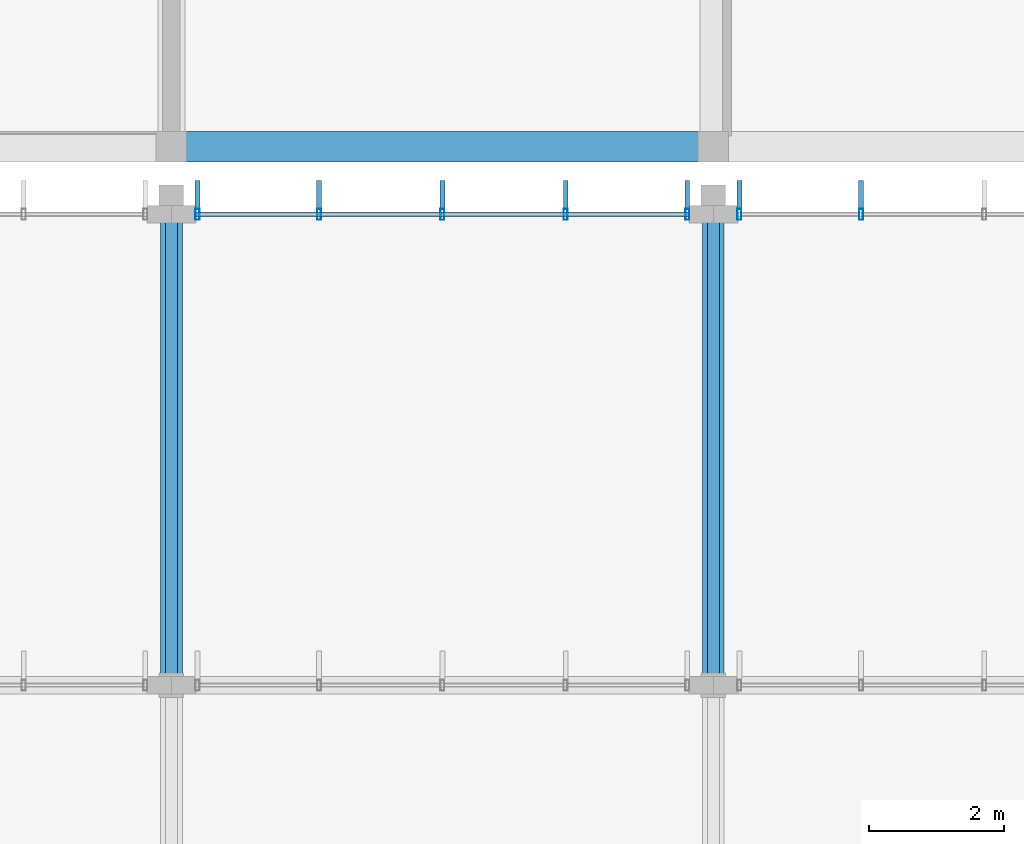
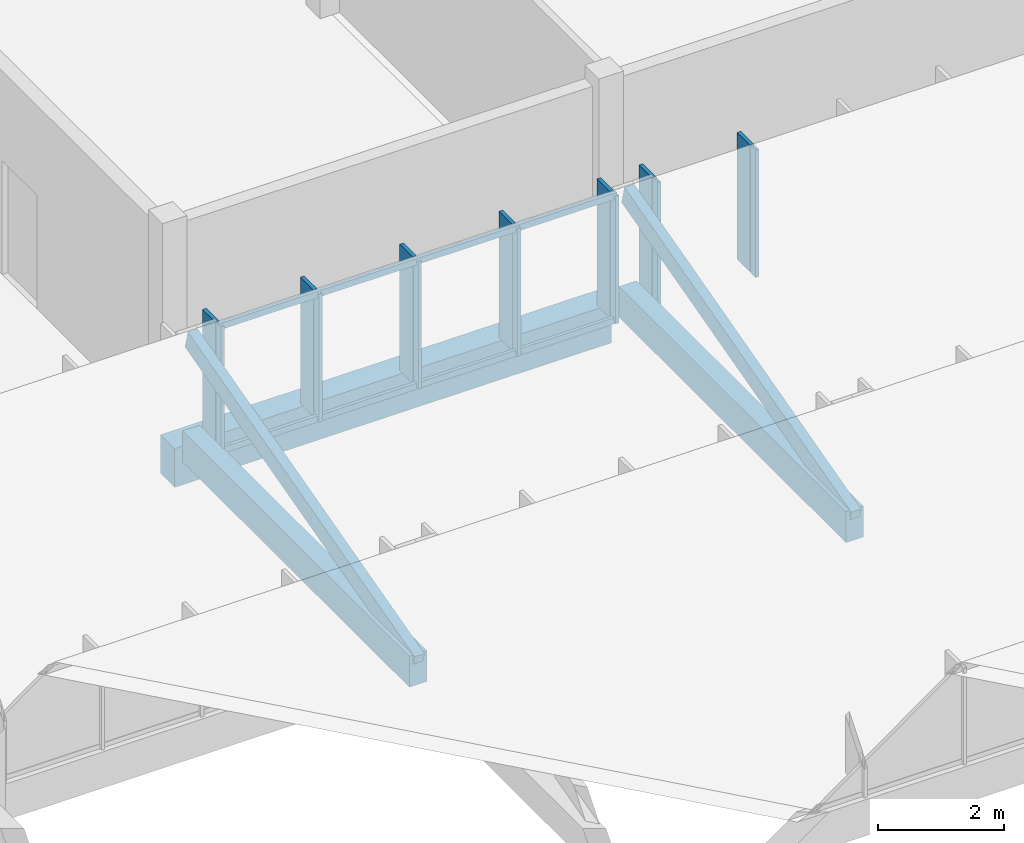
# One storey, part 40 of 94: 20 members, 1 beam, 2 elements without a shape of their own.
"""IFC4 building model written with IfcOpenShell, lengths in metres."""

from ifc_helpers import new_model, si_unit, direction, frame, origin, origin_2d, place, context, subcontext, project, spatial, rectangle, hollow_rectangle, extrude, material, material_profile, profile_set, type_object, element, aggregate, save


model = new_model("IFC4")

# Units and contexts
model_context = context("Model", 3, precision=1e-05, world=origin(), true_north=direction((0.0, 1.0)))
body_context = subcontext(model_context, "Body", "Model", "MODEL_VIEW")
ifc_project = project(units=[si_unit("LENGTHUNIT", "METRE"), si_unit("AREAUNIT", "SQUARE_METRE"), si_unit("VOLUMEUNIT", "CUBIC_METRE"), si_unit("PLANEANGLEUNIT", "RADIAN"), si_unit("MASSUNIT", "GRAM", prefix="KILO")], contexts=[model_context])

# Site, building, storey
site_placement = place(None, origin())
site = spatial("IfcSite", under=ifc_project, at=site_placement, CompositionType="ELEMENT")
building_placement = place(site_placement, origin())
building = spatial("IfcBuilding", under=site, at=building_placement, Name="Chiffa Square Polytechnic", CompositionType="ELEMENT")
storey_placement = place(building_placement, frame((0.0, 0.0, 18.0)))
storey = spatial("IfcBuildingStorey", under=building, at=storey_placement, Name="L04", CompositionType="ELEMENT", Elevation=18.0)

# Beam
ifc_material_1 = material(Name="Concrete C35/45", Category="concrete")
ifc_material_profile_1 = material_profile(ifc_material_1, rectangle(XDim=0.449951171875, YDim=0.75, at=origin_2d()), Name="RC 450x750")
ifc_profile_set_1 = profile_set([ifc_material_profile_1], Name="Concrete C35/45")
beam_type = type_object("IfcBeamType", Name="BM-RC-450X750", PredefinedType="BEAM", material=ifc_profile_set_1)
beam_placement = place(storey_placement, frame((16.0, 94.949951171875, -0.614990234375), z_axis=(1.0, 0.0, 0.0), x_axis=(0.0, 1.0, 0.0)))
element("IfcBeam", 1, at=beam_placement, inside=storey, type_object=beam_type, Name="Primary floor girder BM-V5-L04-X-0160-0950", PredefinedType="BEAM", context=body_context, shape_type="SweptSolid", body=[
    extrude(rectangle(XDim=0.449951171875, YDim=0.75, at=origin_2d()), origin(), (0.0, 0.0, 1.0), 8.0),
])

# Curtain wall, members
ifc_material_2 = material(Name="Aluminium EN AW-6060 T66 and glulam shading", Category="wood")
curtain_wall_type_1 = type_object("IfcCurtainWallType", Name="CW-VERT-300X380", PredefinedType="USERDEFINED", material=ifc_material_2)
curtain_wall_1_placement = place(storey_placement, origin())
curtain_wall_1 = element("IfcCurtainWall", 2, at=curtain_wall_1_placement, inside=storey, type_object=curtain_wall_type_1, Name="Curtain wall CW-V6-SAW8-3", ObjectType="CURTAIN WALL", PredefinedType="USERDEFINED")
ifc_material_3 = material(Name="Aluminium EN AW-6060 T66", Category="aluminium")
ifc_material_profile_2 = material_profile(ifc_material_3, hollow_rectangle(XDim=0.06005859375, YDim=0.159912109375, WallThickness=0.00390625, at=origin_2d()), Name="ALU 60x160x4")
ifc_profile_set_2 = profile_set([ifc_material_profile_2], Name="Aluminium EN AW-6060 T66")
member_type_1 = type_object("IfcMemberType", Name="CWM-ALU-65X150", PredefinedType="MULLION", material=ifc_profile_set_2)
member_1_placement = place(storey_placement, frame((23.614990234375, 93.949951171875, 0.0400390625), z_axis=(0.0, 0.0, 1.0), x_axis=(1.0, 0.0, 0.0)))
member_1 = element("IfcMember", 3, at=member_1_placement, type_object=member_type_1, Name="Curtain wall mullion CW-V6-SAW8-3-M00", PredefinedType="MULLION", context=body_context, shape_type="SweptSolid", body=[
    extrude(hollow_rectangle(XDim=0.06005859375, YDim=0.159912109375, WallThickness=0.00390625, at=origin_2d()), origin(), (0.0, 0.0, 1.0), 2.471923828125),
])
member_2_placement = place(storey_placement, frame((21.820068359375, 93.949951171875, 0.0400390625), z_axis=(0.0, 0.0, 1.0), x_axis=(1.0, 0.0, 0.0)))
member_2 = element("IfcMember", 4, at=member_2_placement, type_object=member_type_1, Name="Curtain wall mullion CW-V6-SAW8-3-M01", PredefinedType="MULLION", context=body_context, shape_type="SweptSolid", body=[
    extrude(hollow_rectangle(XDim=0.06005859375, YDim=0.159912109375, WallThickness=0.00390625, at=origin_2d()), origin(), (0.0, 0.0, 1.0), 2.471923828125),
])
member_3_placement = place(storey_placement, frame((20.0, 93.949951171875, 0.0400390625), z_axis=(0.0, 0.0, 1.0), x_axis=(1.0, 0.0, 0.0)))
member_3 = element("IfcMember", 5, at=member_3_placement, type_object=member_type_1, Name="Curtain wall mullion CW-V6-SAW8-3-M02", PredefinedType="MULLION", context=body_context, shape_type="SweptSolid", body=[
    extrude(hollow_rectangle(XDim=0.06005859375, YDim=0.159912109375, WallThickness=0.00390625, at=origin_2d()), origin(), (0.0, 0.0, 1.0), 2.471923828125),
])
member_4_placement = place(storey_placement, frame((18.179931640625, 93.949951171875, 0.0400390625), z_axis=(0.0, 0.0, 1.0), x_axis=(1.0, 0.0, 0.0)))
member_4 = element("IfcMember", 6, at=member_4_placement, type_object=member_type_1, Name="Curtain wall mullion CW-V6-SAW8-3-M03", PredefinedType="MULLION", context=body_context, shape_type="SweptSolid", body=[
    extrude(hollow_rectangle(XDim=0.06005859375, YDim=0.159912109375, WallThickness=0.00390625, at=origin_2d()), origin(), (0.0, 0.0, 1.0), 2.471923828125),
])
member_5_placement = place(storey_placement, frame((16.385009765625, 93.949951171875, 0.0400390625), z_axis=(0.0, 0.0, 1.0), x_axis=(1.0, 0.0, 0.0)))
member_5 = element("IfcMember", 7, at=member_5_placement, type_object=member_type_1, Name="Curtain wall mullion CW-V6-SAW8-3-M04", PredefinedType="MULLION", context=body_context, shape_type="SweptSolid", body=[
    extrude(hollow_rectangle(XDim=0.06005859375, YDim=0.159912109375, WallThickness=0.00390625, at=origin_2d()), origin(), (0.0, 0.0, 1.0), 2.471923828125),
])

curtain_wall_type_2 = type_object("IfcCurtainWallType", Name="CW-VERT-600X380", PredefinedType="USERDEFINED", material=ifc_material_2)
curtain_wall_2_placement = place(storey_placement, origin())
curtain_wall_2 = element("IfcCurtainWall", 8, at=curtain_wall_2_placement, inside=storey, type_object=curtain_wall_type_2, Name="Curtain wall CW-V6-SAW8-4", ObjectType="CURTAIN WALL", PredefinedType="USERDEFINED")
member_6_placement = place(storey_placement, frame((26.179931640625, 93.949951171875, 0.0400390625), z_axis=(0.0, 0.0, 1.0), x_axis=(1.0, 0.0, 0.0)))
member_6 = element("IfcMember", 9, at=member_6_placement, type_object=member_type_1, Name="Curtain wall mullion CW-V6-SAW8-4-M03", PredefinedType="MULLION", context=body_context, shape_type="SweptSolid", body=[
    extrude(hollow_rectangle(XDim=0.06005859375, YDim=0.159912109375, WallThickness=0.00390625, at=origin_2d()), origin(), (0.0, 0.0, 1.0), 2.471923828125),
])
member_7_placement = place(storey_placement, frame((24.385009765625, 93.949951171875, 0.0400390625), z_axis=(0.0, 0.0, 1.0), x_axis=(1.0, 0.0, 0.0)))
member_7 = element("IfcMember", 10, at=member_7_placement, type_object=member_type_1, Name="Curtain wall mullion CW-V6-SAW8-4-M04", PredefinedType="MULLION", context=body_context, shape_type="SweptSolid", body=[
    extrude(hollow_rectangle(XDim=0.06005859375, YDim=0.159912109375, WallThickness=0.00390625, at=origin_2d()), origin(), (0.0, 0.0, 1.0), 2.471923828125),
])

# Member
ifc_material_4 = material(Name="Glulam GL28h", Category="wood")
ifc_material_profile_3 = material_profile(ifc_material_4, rectangle(XDim=0.070068359375, YDim=0.419921875, at=origin_2d()), Name="GL28h 70x420")
ifc_profile_set_3 = profile_set([ifc_material_profile_3], Name="Glulam GL28h")
member_type_2 = type_object("IfcMemberType", Name="CWM-GL-70X420", PredefinedType="MULLION", material=ifc_profile_set_3)
member_8_placement = place(storey_placement, frame((23.614990234375, 94.241943359375, 0.050048828125), z_axis=(0.0, 0.0, 1.0), x_axis=(-1.0, 0.0, 0.0)))
member_8 = element("IfcMember", 11, at=member_8_placement, type_object=member_type_2, Name="Exterior glulam solar fin CW-V6-SAW8-3-FN00", PredefinedType="MULLION", context=body_context, shape_type="SweptSolid", body=[
    extrude(rectangle(XDim=0.070068359375, YDim=0.419921875, at=origin_2d()), origin(), (0.0, 0.0, 1.0), 2.451904296875),
])

member_9_placement = place(storey_placement, frame((21.820068359375, 94.241943359375, 0.050048828125), z_axis=(0.0, 0.0, 1.0), x_axis=(-1.0, 0.0, 0.0)))
member_9 = element("IfcMember", 12, at=member_9_placement, type_object=member_type_2, Name="Exterior glulam solar fin CW-V6-SAW8-3-FN01", PredefinedType="MULLION", context=body_context, shape_type="SweptSolid", body=[
    extrude(rectangle(XDim=0.070068359375, YDim=0.419921875, at=origin_2d()), origin(), (0.0, 0.0, 1.0), 2.451904296875),
])

member_10_placement = place(storey_placement, frame((20.0, 94.241943359375, 0.050048828125), z_axis=(0.0, 0.0, 1.0), x_axis=(-1.0, 0.0, 0.0)))
member_10 = element("IfcMember", 13, at=member_10_placement, type_object=member_type_2, Name="Exterior glulam solar fin CW-V6-SAW8-3-FN02", PredefinedType="MULLION", context=body_context, shape_type="SweptSolid", body=[
    extrude(rectangle(XDim=0.070068359375, YDim=0.419921875, at=origin_2d()), origin(), (0.0, 0.0, 1.0), 2.451904296875),
])

member_11_placement = place(storey_placement, frame((18.179931640625, 94.241943359375, 0.050048828125), z_axis=(0.0, 0.0, 1.0), x_axis=(-1.0, 0.0, 0.0)))
member_11 = element("IfcMember", 14, at=member_11_placement, type_object=member_type_2, Name="Exterior glulam solar fin CW-V6-SAW8-3-FN03", PredefinedType="MULLION", context=body_context, shape_type="SweptSolid", body=[
    extrude(rectangle(XDim=0.070068359375, YDim=0.419921875, at=origin_2d()), origin(), (0.0, 0.0, 1.0), 2.451904296875),
])

member_12_placement = place(storey_placement, frame((16.385009765625, 94.241943359375, 0.050048828125), z_axis=(0.0, 0.0, 1.0), x_axis=(-1.0, 0.0, 0.0)))
member_12 = element("IfcMember", 15, at=member_12_placement, type_object=member_type_2, Name="Exterior glulam solar fin CW-V6-SAW8-3-FN04", PredefinedType="MULLION", context=body_context, shape_type="SweptSolid", body=[
    extrude(rectangle(XDim=0.070068359375, YDim=0.419921875, at=origin_2d()), origin(), (0.0, 0.0, 1.0), 2.451904296875),
])

member_13_placement = place(storey_placement, frame((26.179931640625, 94.241943359375, 0.050048828125), z_axis=(0.0, 0.0, 1.0), x_axis=(-1.0, 0.0, 0.0)))
member_13 = element("IfcMember", 16, at=member_13_placement, type_object=member_type_2, Name="Exterior glulam solar fin CW-V6-SAW8-4-FN03", PredefinedType="MULLION", context=body_context, shape_type="SweptSolid", body=[
    extrude(rectangle(XDim=0.070068359375, YDim=0.419921875, at=origin_2d()), origin(), (0.0, 0.0, 1.0), 2.451904296875),
])

member_14_placement = place(storey_placement, frame((24.385009765625, 94.241943359375, 0.050048828125), z_axis=(0.0, 0.0, 1.0), x_axis=(-1.0, 0.0, 0.0)))
member_14 = element("IfcMember", 17, at=member_14_placement, type_object=member_type_2, Name="Exterior glulam solar fin CW-V6-SAW8-4-FN04", PredefinedType="MULLION", context=body_context, shape_type="SweptSolid", body=[
    extrude(rectangle(XDim=0.070068359375, YDim=0.419921875, at=origin_2d()), origin(), (0.0, 0.0, 1.0), 2.451904296875),
])

aggregate(curtain_wall_2, [member_6, member_13, member_7, member_14])

ifc_material_profile_4 = material_profile(ifc_material_3, hollow_rectangle(XDim=0.06005859375, YDim=0.1201171875, WallThickness=0.00390625, at=origin_2d()), Name="ALU 60x120x4")
ifc_profile_set_4 = profile_set([ifc_material_profile_4], Name="Aluminium EN AW-6060 T66")
member_type_3 = type_object("IfcMemberType", Name="CWT-ALU-65X120", PredefinedType="USERDEFINED", material=ifc_profile_set_4)
member_15_placement = place(storey_placement, frame((23.64208984375, 93.949951171875, 0.070068359375), z_axis=(-1.0, 0.0, 0.0), x_axis=(0.0, -1.0, 0.0)))
member_15 = element("IfcMember", 18, at=member_15_placement, type_object=member_type_3, Name="Curtain wall transom CW-V6-SAW8-3-T01", ObjectType="TRANSOM", PredefinedType="USERDEFINED", context=body_context, shape_type="SweptSolid", body=[
    extrude(hollow_rectangle(XDim=0.06005859375, YDim=0.1201171875, WallThickness=0.00390625, at=origin_2d()), origin(), (0.0, 0.0, 1.0), 7.2841796875),
])

member_16_placement = place(storey_placement, frame((23.64208984375, 93.949951171875, 2.48193359375), z_axis=(-1.0, 0.0, 0.0), x_axis=(0.0, -1.0, 0.0)))
member_16 = element("IfcMember", 19, at=member_16_placement, type_object=member_type_3, Name="Curtain wall transom CW-V6-SAW8-3-T02", ObjectType="TRANSOM", PredefinedType="USERDEFINED", context=body_context, shape_type="SweptSolid", body=[
    extrude(hollow_rectangle(XDim=0.06005859375, YDim=0.1201171875, WallThickness=0.00390625, at=origin_2d()), origin(), (0.0, 0.0, 1.0), 7.2841796875),
])

aggregate(curtain_wall_1, [member_1, member_8, member_2, member_9, member_3, member_10, member_4, member_11, member_5, member_12, member_15, member_16])

# Members
ifc_material_5 = material(Name="Glulam GL32c", Category="wood")
ifc_material_profile_5 = material_profile(ifc_material_5, rectangle(XDim=0.320068359375, YDim=0.60009765625, at=origin_2d()), Name="GL32c 320x600")
ifc_profile_set_5 = profile_set([ifc_material_profile_5], Name="Glulam GL32c")
member_type_4 = type_object("IfcMemberType", Name="MEM-CHORD-GL320", PredefinedType="CHORD", material=ifc_profile_set_5)
for number, where, z_axis, x_axis, name in (
    (20, (16.0, 87.0, 0.179931640625), (0.0, 1.0, 0.0), (-1.0, 0.0, 0.0), "Studio sawtooth tie chord TCB-V6-SAW-038"),
    (21, (24.0, 87.0, 0.179931640625), (0.0, 1.0, 0.0), (-1.0, 0.0, 0.0), "Studio sawtooth tie chord TCB-V6-SAW-039"),
):
    element("IfcMember", number, at=place(storey_placement, frame(where, z_axis=z_axis, x_axis=x_axis)), inside=storey, type_object=member_type_4, Name=name, PredefinedType="CHORD", context=body_context, shape_type="SweptSolid", body=[
        extrude(rectangle(XDim=0.320068359375, YDim=0.60009765625, at=origin_2d()), origin(), (0.0, 0.0, 1.0), 7.199951171875),
    ])
ifc_material_profile_6 = material_profile(ifc_material_4, rectangle(XDim=0.179931640625, YDim=0.360107421875, at=origin_2d()), Name="GL28h 180x360")
ifc_profile_set_6 = profile_set([ifc_material_profile_6], Name="Glulam GL28h")
member_type_5 = type_object("IfcMemberType", Name="MEM-RFT-GL180", PredefinedType="RAFTER", material=ifc_profile_set_6)
for number, where, z_axis, x_axis, name in (
    (22, (16.0, 87.0, 0.300048828125), (0.0, 0.965934748059, 0.258785746309), (-1.0, 0.0, 0.0), "Studio sawtooth glulam rafter RF-V6-L04-038"),
    (23, (24.0, 87.0, 0.300048828125), (0.0, 0.965934748059, 0.258785746309), (-1.0, 0.0, 0.0), "Studio sawtooth glulam rafter RF-V6-L04-039"),
):
    element("IfcMember", number, at=place(storey_placement, frame(where, z_axis=z_axis, x_axis=x_axis)), inside=storey, type_object=member_type_5, Name=name, PredefinedType="RAFTER", context=body_context, shape_type="SweptSolid", body=[
        extrude(rectangle(XDim=0.179931640625, YDim=0.360107421875, at=origin_2d()), origin(), (0.0, 0.0, 1.0), 7.453857421875),
    ])

save(model, "model.ifc")
